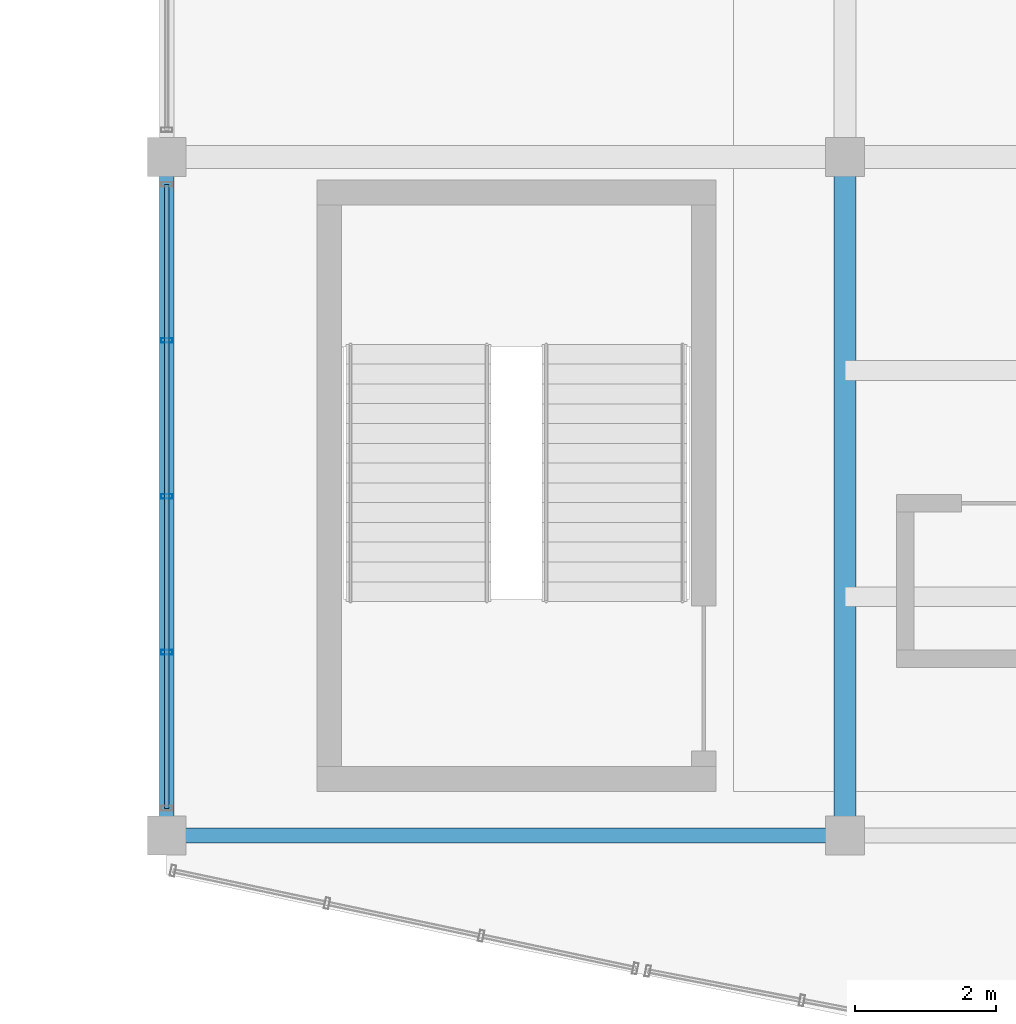
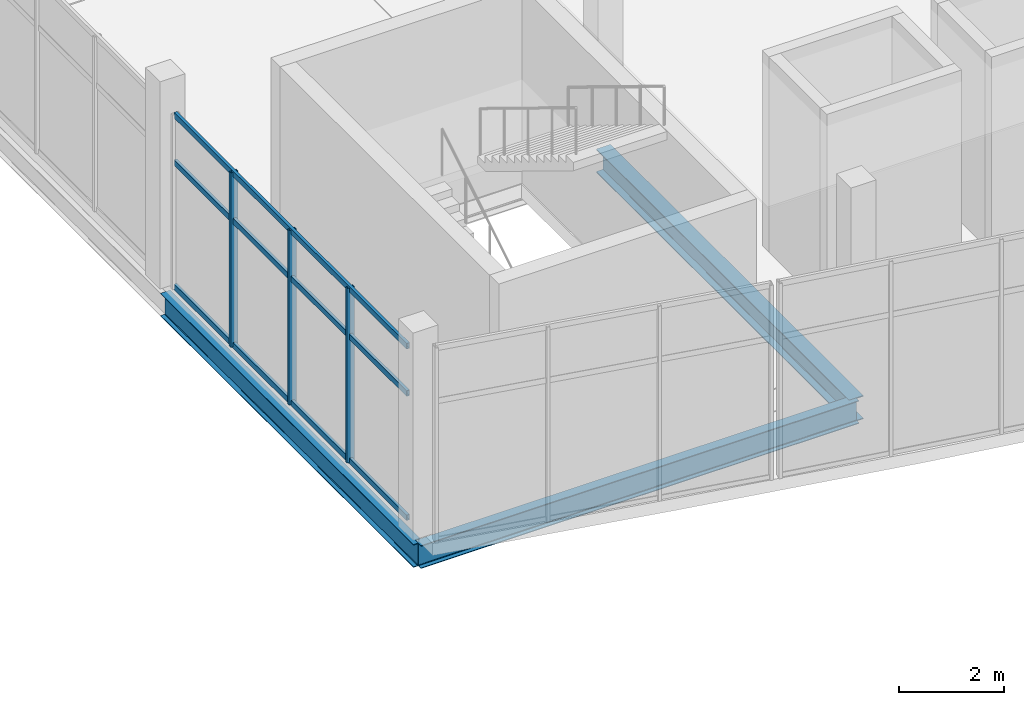
# One storey, part 69 of 157: 6 members, 3 beams, 1 element without a shape of its own.
"""IFC4 building model written with IfcOpenShell, lengths in metres."""

from ifc_helpers import new_model, si_unit, direction, frame, origin, origin_2d, place, context, subcontext, project, spatial, hollow_rectangle, i_section, extrude, material, layer, layer_set, material_profile, profile_set, type_object, element, aggregate, save


model = new_model("IFC4")

# Units and contexts
model_context = context("Model", 3, precision=1e-05, world=origin(), true_north=direction((0.0, 1.0)))
body_context = subcontext(model_context, "Body", "Model", "MODEL_VIEW")
ifc_project = project(units=[si_unit("LENGTHUNIT", "METRE"), si_unit("AREAUNIT", "SQUARE_METRE"), si_unit("VOLUMEUNIT", "CUBIC_METRE"), si_unit("PLANEANGLEUNIT", "RADIAN"), si_unit("MASSUNIT", "GRAM", prefix="KILO")], contexts=[model_context])

# Site, building, storey
site_placement = place(None, origin())
site = spatial("IfcSite", under=ifc_project, at=site_placement, CompositionType="ELEMENT")
building_placement = place(site_placement, origin())
building = spatial("IfcBuilding", under=site, at=building_placement, Name="Chalmorin Arch Market", CompositionType="ELEMENT")
storey_placement = place(building_placement, frame((0.0, 0.0, 4.800048828125)))
storey = spatial("IfcBuildingStorey", under=building, at=storey_placement, Name="L01", CompositionType="ELEMENT", Elevation=4.800048828125)

# Curtain wall, members
ifc_material_1 = material(Name="Aluminium 6063-T6", Category="aluminium")
ifc_layer = layer(ifc_material_1, 0.159912109375)
ifc_layer_set = layer_set([ifc_layer], Name="Aluminium 6063-T6")
curtain_wall_type = type_object("IfcCurtainWallType", Name="CulinaryStudioCurtainWall-CW3-8830x4050", PredefinedType="NOTDEFINED", material=ifc_layer_set)
curtain_wall_placement = place(storey_placement, origin())
curtain_wall = element("IfcCurtainWall", 1, at=curtain_wall_placement, inside=storey, type_object=curtain_wall_type, Name="CW-03-107", PredefinedType="NOTDEFINED")
ifc_material_profile_1 = material_profile(ifc_material_1, hollow_rectangle(XDim=0.06494140625, YDim=0.159912109375, WallThickness=0.00390625, at=origin_2d()), Name="ALU65X160X4")
ifc_profile_set_1 = profile_set([ifc_material_profile_1], Name="Aluminium 6063-T6")
member_type_1 = type_object("IfcMemberType", Name="CurtainWallMullion-65x160", PredefinedType="MULLION", material=ifc_profile_set_1)
member_1_placement = place(storey_placement, frame((48.0, 74.592529296875, 0.0), z_axis=(0.0, 0.0, 1.0), x_axis=(0.0, 1.0, 0.0)))
member_1 = element("IfcMember", 2, at=member_1_placement, type_object=member_type_1, Name="ML-107-02", PredefinedType="MULLION", context=body_context, shape_type="SweptSolid", body=[
    extrude(hollow_rectangle(XDim=0.06494140625, YDim=0.159912109375, WallThickness=0.00390625, at=origin_2d()), origin(), (0.0, 0.0, 1.0), 4.0458984375),
])
member_2_placement = place(storey_placement, frame((48.0, 76.800048828125, 0.0), z_axis=(0.0, 0.0, 1.0), x_axis=(0.0, 1.0, 0.0)))
member_2 = element("IfcMember", 3, at=member_2_placement, type_object=member_type_1, Name="ML-107-03", PredefinedType="MULLION", context=body_context, shape_type="SweptSolid", body=[
    extrude(hollow_rectangle(XDim=0.06494140625, YDim=0.159912109375, WallThickness=0.00390625, at=origin_2d()), origin(), (0.0, 0.0, 1.0), 4.0458984375),
])
member_3_placement = place(storey_placement, frame((48.0, 79.007568359375, 0.0), z_axis=(0.0, 0.0, 1.0), x_axis=(0.0, 1.0, 0.0)))
member_3 = element("IfcMember", 4, at=member_3_placement, type_object=member_type_1, Name="ML-107-04", PredefinedType="MULLION", context=body_context, shape_type="SweptSolid", body=[
    extrude(hollow_rectangle(XDim=0.06494140625, YDim=0.159912109375, WallThickness=0.00390625, at=origin_2d()), origin(), (0.0, 0.0, 1.0), 4.0458984375),
])
ifc_material_profile_2 = material_profile(ifc_material_1, hollow_rectangle(XDim=0.06494140625, YDim=0.1298828125, WallThickness=0.00390625, at=origin_2d()), Name="ALU65X130X4")
ifc_profile_set_2 = profile_set([ifc_material_profile_2], Name="Aluminium 6063-T6")
member_type_2 = type_object("IfcMemberType", Name="CurtainWallTransom-65x130", PredefinedType="USERDEFINED", material=ifc_profile_set_2)
member_4_placement = place(storey_placement, frame((48.0, 72.385009765625, 0.034912109375), z_axis=(0.0, 1.0, 0.0), x_axis=(-1.0, 0.0, 0.0)))
member_4 = element("IfcMember", 5, at=member_4_placement, type_object=member_type_2, Name="TR-107-01", ObjectType="TRANSOM", PredefinedType="USERDEFINED", context=body_context, shape_type="SweptSolid", body=[
    extrude(hollow_rectangle(XDim=0.06494140625, YDim=0.1298828125, WallThickness=0.00390625, at=origin_2d()), origin(), (0.0, 0.0, 1.0), 8.830078125),
])
member_5_placement = place(storey_placement, frame((48.0, 72.385009765625, 2.9130859375), z_axis=(0.0, 1.0, 0.0), x_axis=(-1.0, 0.0, 0.0)))
member_5 = element("IfcMember", 6, at=member_5_placement, type_object=member_type_2, Name="TR-107-02", ObjectType="TRANSOM", PredefinedType="USERDEFINED", context=body_context, shape_type="SweptSolid", body=[
    extrude(hollow_rectangle(XDim=0.06494140625, YDim=0.1298828125, WallThickness=0.00390625, at=origin_2d()), origin(), (0.0, 0.0, 1.0), 8.830078125),
])
member_6_placement = place(storey_placement, frame((48.0, 72.385009765625, 4.010986328125), z_axis=(0.0, 1.0, 0.0), x_axis=(-1.0, 0.0, 0.0)))
member_6 = element("IfcMember", 7, at=member_6_placement, type_object=member_type_2, Name="TR-107-03", ObjectType="TRANSOM", PredefinedType="USERDEFINED", context=body_context, shape_type="SweptSolid", body=[
    extrude(hollow_rectangle(XDim=0.06494140625, YDim=0.1298828125, WallThickness=0.00390625, at=origin_2d()), origin(), (0.0, 0.0, 1.0), 8.830078125),
])
aggregate(curtain_wall, [member_1, member_2, member_3, member_4, member_5, member_6])

# Beams
ifc_material_2 = material(Name="Steel A992 Grade 50", Category="steel")
ifc_material_profile_3 = material_profile(ifc_material_2, i_section(OverallWidth=0.31201171875, OverallDepth=0.54296875, WebThickness=0.0126953125, FlangeThickness=0.020263671875, FilletRadius=0.02197265625, at=origin_2d()), Name="W21X101")
ifc_profile_set_3 = profile_set([ifc_material_profile_3], Name="Steel A992 Grade 50")
beam_type_1 = type_object("IfcBeamType", Name="KitchenSteelGirder-W21X101", PredefinedType="BEAM", material=ifc_profile_set_3)
beam_placement = place(storey_placement, frame((57.60009765625, 72.0, -0.593505859375), z_axis=(0.0, 1.0, 0.0), x_axis=(-1.0, 0.0, 0.0)))
element("IfcBeam", 8, at=beam_placement, inside=storey, type_object=beam_type_1, Name="BG-W21C-0881", PredefinedType="BEAM", context=body_context, shape_type="SweptSolid", body=[
    extrude(i_section(OverallWidth=0.31201171875, OverallDepth=0.54296875, WebThickness=0.0126953125, FlangeThickness=0.020263671875, FilletRadius=0.02197265625, at=origin_2d()), origin(), (0.0, 0.0, 1.0), 9.60009765625),
])
ifc_material_profile_4 = material_profile(ifc_material_2, i_section(OverallWidth=0.208984375, OverallDepth=0.532958984375, WebThickness=0.01025390625, FlangeThickness=0.015625, FilletRadius=0.02197265625, at=origin_2d()), Name="W21X62")
ifc_profile_set_4 = profile_set([ifc_material_profile_4], Name="Steel A992 Grade 50")
beam_type_2 = type_object("IfcBeamType", Name="PerimeterSpandrelBeam-W21X62", PredefinedType="SPANDREL", material=ifc_profile_set_4)
for number, where, z_axis, x_axis, name in (
    (9, (48.0, 72.0, -0.588623046875), (1.0, 0.0, 0.0), (0.0, 1.0, 0.0), "SP-W21-0878"),
    (10, (48.0, 72.0, -0.588623046875), (0.0, 1.0, 0.0), (-1.0, 0.0, 0.0), "SP-W21-0880"),
):
    element("IfcBeam", number, at=place(storey_placement, frame(where, z_axis=z_axis, x_axis=x_axis)), inside=storey, type_object=beam_type_2, Name=name, PredefinedType="SPANDREL", context=body_context, shape_type="SweptSolid", body=[
        extrude(i_section(OverallWidth=0.208984375, OverallDepth=0.532958984375, WebThickness=0.01025390625, FlangeThickness=0.015625, FilletRadius=0.02197265625, at=origin_2d()), origin(), (0.0, 0.0, 1.0), 9.60009765625),
    ])

save(model, "model.ifc")
